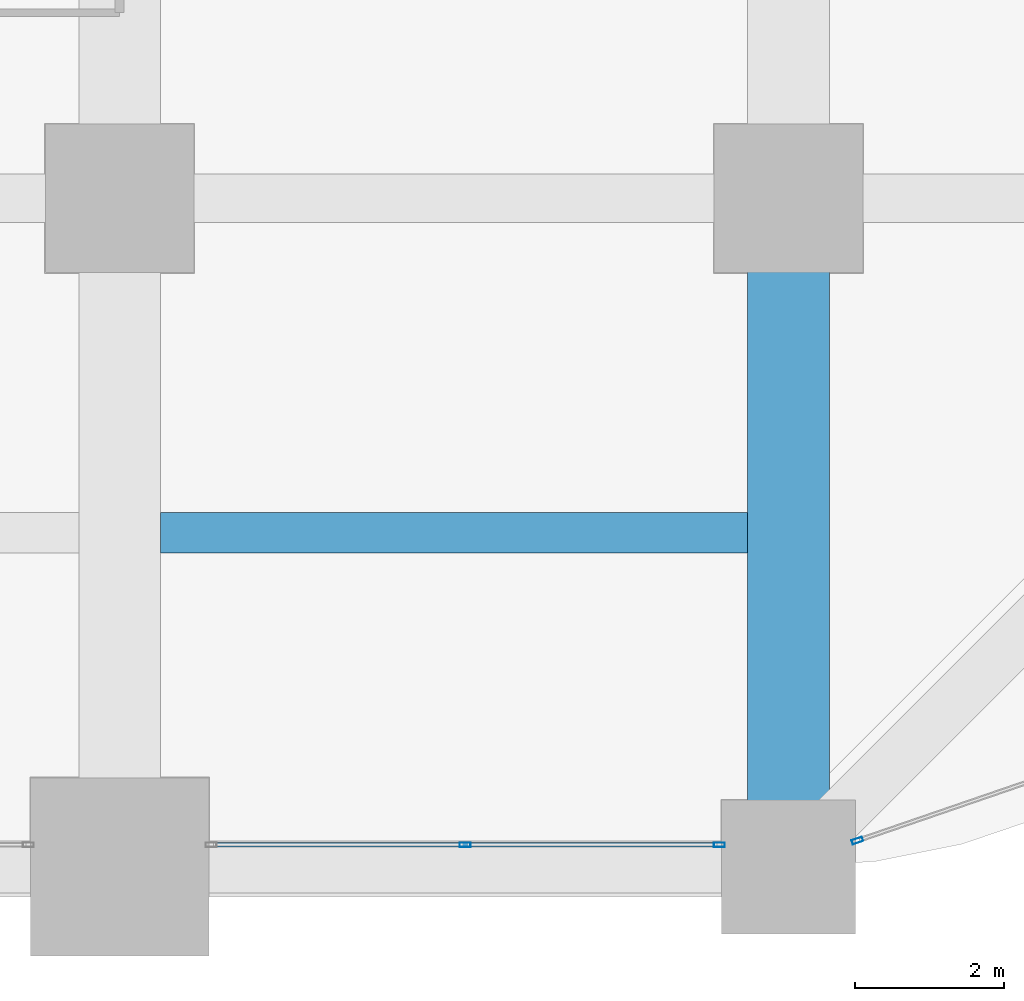
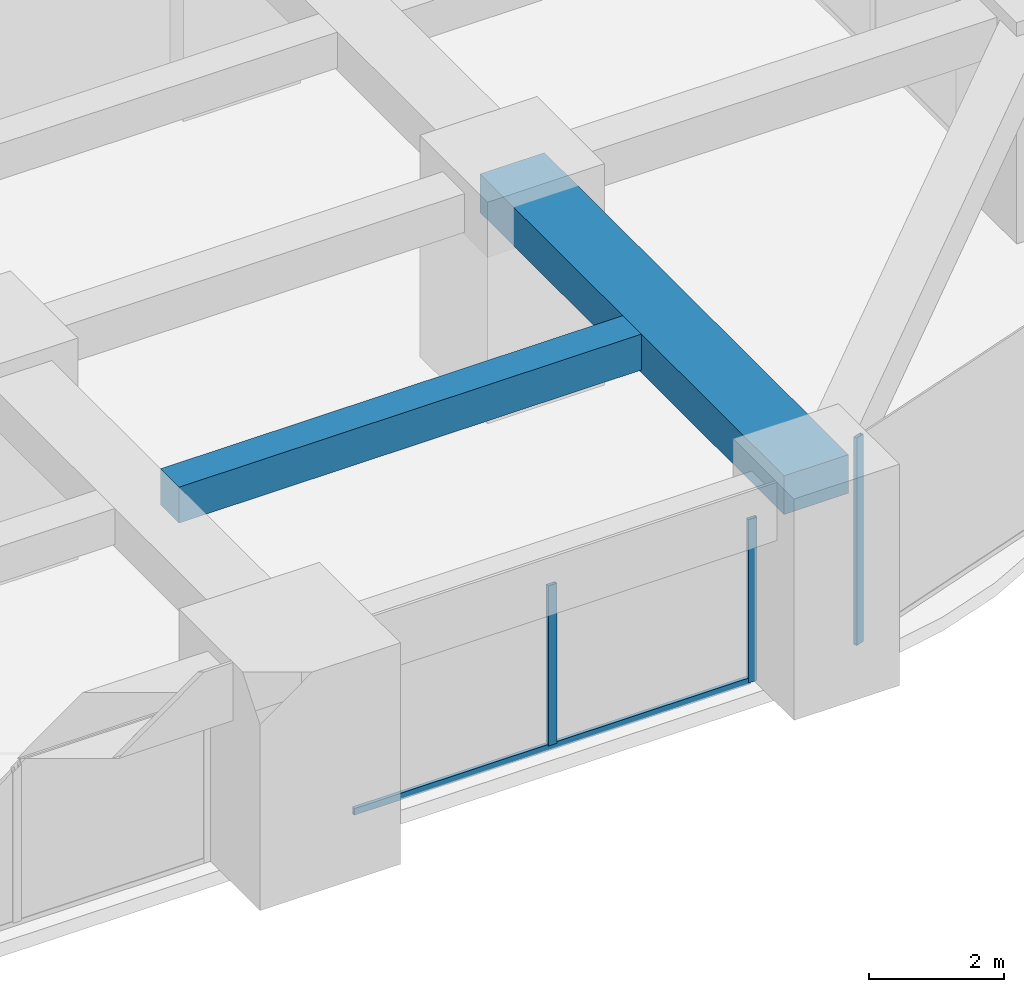
# One storey, part 16 of 40: 4 members, 2 beams, 2 elements without a shape of their own.
"""IFC4 building model written with IfcOpenShell, lengths in metres."""

from ifc_helpers import new_model, si_unit, direction, frame, origin, origin_2d, place, context, subcontext, project, spatial, rectangle, hollow_rectangle, extrude, material, material_profile, profile_set, type_object, element, aggregate, save


model = new_model("IFC4")

# Units and contexts
model_context = context("Model", 3, precision=1e-05, world=origin(), true_north=direction((0.0, 1.0)))
body_context = subcontext(model_context, "Body", "Model", "MODEL_VIEW")
ifc_project = project(units=[si_unit("LENGTHUNIT", "METRE"), si_unit("AREAUNIT", "SQUARE_METRE"), si_unit("VOLUMEUNIT", "CUBIC_METRE"), si_unit("PLANEANGLEUNIT", "RADIAN"), si_unit("MASSUNIT", "GRAM", prefix="KILO")], contexts=[model_context])

# Site, building, storey
site_placement = place(None, origin())
site = spatial("IfcSite", under=ifc_project, at=site_placement, CompositionType="ELEMENT")
building_placement = place(site_placement, origin())
building = spatial("IfcBuilding", under=site, at=building_placement, Name="Zorevar Civic Tower", CompositionType="ELEMENT")
storey_placement = place(building_placement, frame((0.0, 0.0, 93.0)))
storey = spatial("IfcBuildingStorey", under=building, at=storey_placement, Name="L22", CompositionType="ELEMENT", Elevation=93.0)

# Beams
ifc_material_1 = material(Name="Concrete C50/60", Category="concrete")
ifc_material_profile_1 = material_profile(ifc_material_1, rectangle(XDim=1.10009765625, YDim=0.699951171875, at=origin_2d()), Name="RC 1100x700")
ifc_profile_set_1 = profile_set([ifc_material_profile_1], Name="Concrete C50/60")
beam_type_1 = type_object("IfcBeamType", Name="Beam RC 1100x700", PredefinedType="BEAM", material=ifc_profile_set_1)
beam_1_placement = place(storey_placement, frame((54.0, 0.0, 3.39990234375), z_axis=(0.0, 1.0, 0.0), x_axis=(-1.0, 0.0, 0.0)))
element("IfcBeam", 1, at=beam_1_placement, inside=storey, type_object=beam_type_1, Name="Girder L23", PredefinedType="BEAM", context=body_context, shape_type="SweptSolid", body=[
    extrude(rectangle(XDim=1.10009765625, YDim=0.699951171875, at=origin_2d()), origin(), (0.0, 0.0, 1.0), 9.0),
])
ifc_material_2 = material(Name="Concrete C50/60", Category="concrete")
ifc_material_profile_2 = material_profile(ifc_material_2, rectangle(XDim=0.550048828125, YDim=0.64990234375, at=origin_2d()), Name="RC 550x650")
ifc_profile_set_2 = profile_set([ifc_material_profile_2], Name="Concrete C50/60")
beam_type_2 = type_object("IfcBeamType", Name="Beam RC 550x650", PredefinedType="BEAM", material=ifc_profile_set_2)
beam_2_placement = place(storey_placement, frame((45.550048828125, 4.5, 3.425048828125), z_axis=(1.0, 0.0, 0.0), x_axis=(0.0, 1.0, 0.0)))
element("IfcBeam", 2, at=beam_2_placement, inside=storey, type_object=beam_type_2, Name="Secondary beam L23", PredefinedType="BEAM", context=body_context, shape_type="SweptSolid", body=[
    extrude(rectangle(XDim=0.550048828125, YDim=0.64990234375, at=origin_2d()), origin(), (0.0, 0.0, 1.0), 7.89990234375),
])

# Curtain wall, members
ifc_material_3 = material(Name="Dark grey solar-control glass in black aluminium frame", Category="aluminium")
curtain_wall_type = type_object("IfcCurtainWallType", Name="Curtain wall CW3 mid zone", PredefinedType="NOTDEFINED", material=ifc_material_3)
curtain_wall_1_placement = place(storey_placement, origin())
curtain_wall_1 = element("IfcCurtainWall", 3, at=curtain_wall_1_placement, inside=storey, type_object=curtain_wall_type, Name="CW3 L22", PredefinedType="NOTDEFINED")
ifc_material_4 = material(Name="Aluminium, black anodised", Category="aluminium")
ifc_material_profile_3 = material_profile(ifc_material_4, hollow_rectangle(XDim=0.06005859375, YDim=0.14990234375, WallThickness=0.00390625, at=origin_2d()), Name="AL 150x60x4")
ifc_profile_set_3 = profile_set([ifc_material_profile_3], Name="Aluminium, black anodised")
member_type_1 = type_object("IfcMemberType", Name="CW3 mullion AL 150x60x4", PredefinedType="MULLION", material=ifc_profile_set_3)
member_1_placement = place(storey_placement, frame((49.64990234375, 0.300048828125, 0.06005859375), z_axis=(0.0, 0.0, 1.0), x_axis=(0.0, 1.0, 0.0)))
member_1 = element("IfcMember", 4, at=member_1_placement, type_object=member_type_1, Name="CW3 mullion 2", PredefinedType="MULLION", context=body_context, shape_type="SweptSolid", body=[
    extrude(hollow_rectangle(XDim=0.06005859375, YDim=0.14990234375, WallThickness=0.00390625, at=origin_2d()), origin(), (0.0, 0.0, 1.0), 2.889892578125),
])
member_2_placement = place(storey_placement, frame((53.070068359375, 0.300048828125, 0.0), z_axis=(0.0, 0.0, 1.0), x_axis=(0.0, 1.0, 0.0)))
member_2 = element("IfcMember", 5, at=member_2_placement, type_object=member_type_1, Name="CW3 mullion 3", PredefinedType="MULLION", context=body_context, shape_type="SweptSolid", body=[
    extrude(hollow_rectangle(XDim=0.06005859375, YDim=0.14990234375, WallThickness=0.00390625, at=origin_2d()), origin(), (0.0, 0.0, 1.0), 2.949951171875),
])

# Curtain wall, member
curtain_wall_2_placement = place(storey_placement, origin())
curtain_wall_2 = element("IfcCurtainWall", 6, at=curtain_wall_2_placement, inside=storey, type_object=curtain_wall_type, Name="CW3 L22", PredefinedType="NOTDEFINED")
member_3_placement = place(storey_placement, frame((54.928466796875, 0.3564453125, 0.0), z_axis=(0.0, 0.0, 1.0), x_axis=(-0.324878466857, 0.945755772794, 0.0)))
member_3 = element("IfcMember", 7, at=member_3_placement, type_object=member_type_1, Name="CW3 mullion 1", PredefinedType="MULLION", context=body_context, shape_type="SweptSolid", body=[
    extrude(hollow_rectangle(XDim=0.06005859375, YDim=0.14990234375, WallThickness=0.00390625, at=origin_2d()), origin(), (0.0, 0.0, 1.0), 3.75),
])
aggregate(curtain_wall_2, [member_3])

# Member
ifc_material_5 = material(Name="Aluminium, black anodised", Category="aluminium")
ifc_material_profile_4 = material_profile(ifc_material_5, hollow_rectangle(XDim=0.06005859375, YDim=0.1201171875, WallThickness=0.0029296875, at=origin_2d()), Name="AL 120x60x3")
ifc_profile_set_4 = profile_set([ifc_material_profile_4], Name="Aluminium, black anodised")
member_type_2 = type_object("IfcMemberType", Name="CW3 transom AL 120x60x3", PredefinedType="USERDEFINED", material=ifc_profile_set_4)
member_4_placement = place(storey_placement, frame((46.260009765625, 0.300048828125, 0.030029296875), z_axis=(1.0, 0.0, 0.0), x_axis=(0.0, 1.0, 0.0)))
member_4 = element("IfcMember", 8, at=member_4_placement, type_object=member_type_2, Name="CW3 sill transom", ObjectType="TRANSOM", PredefinedType="USERDEFINED", context=body_context, shape_type="SweptSolid", body=[
    extrude(hollow_rectangle(XDim=0.06005859375, YDim=0.1201171875, WallThickness=0.0029296875, at=origin_2d()), origin(), (0.0, 0.0, 1.0), 6.780029296875),
])

aggregate(curtain_wall_1, [member_1, member_2, member_4])

save(model, "model.ifc")
